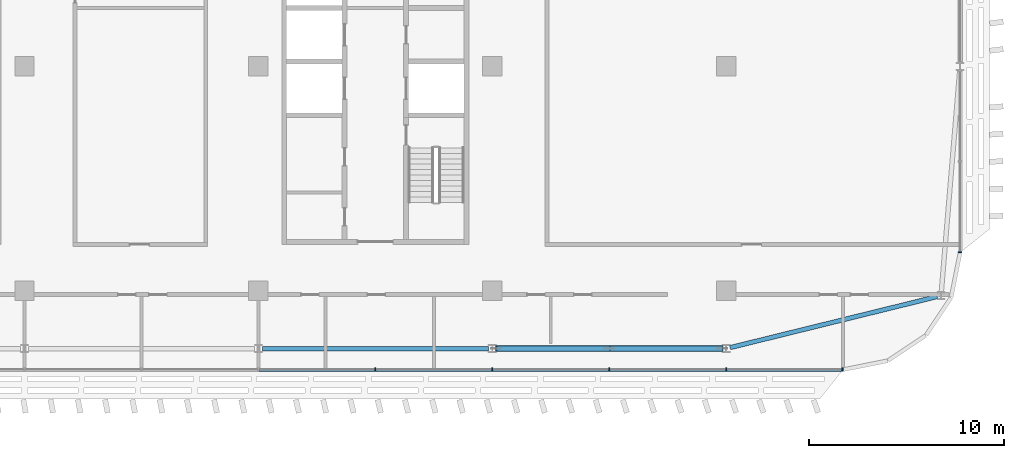
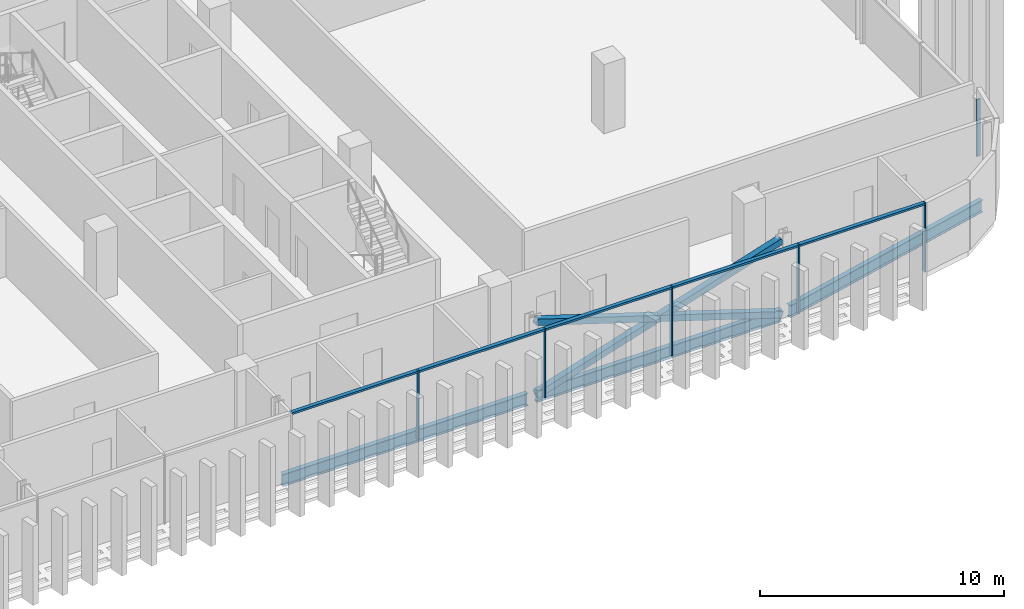
# One storey, part 11 of 32: 14 members, 3 beams, 2 elements without a shape of their own.
"""IFC4 building model written with IfcOpenShell, lengths in metres."""

from ifc_helpers import new_model, si_unit, direction, frame, origin, origin_2d, place, context, subcontext, project, spatial, rectangle, hollow_rectangle, i_section, extrude, material, material_profile, profile_set, type_object, element, aggregate, save


model = new_model("IFC4")

# Units and contexts
model_context = context("Model", 3, precision=1e-05, world=origin(), true_north=direction((0.0, 1.0)))
body_context = subcontext(model_context, "Body", "Model", "MODEL_VIEW")
ifc_project = project(units=[si_unit("LENGTHUNIT", "METRE"), si_unit("AREAUNIT", "SQUARE_METRE"), si_unit("VOLUMEUNIT", "CUBIC_METRE"), si_unit("PLANEANGLEUNIT", "RADIAN"), si_unit("MASSUNIT", "GRAM", prefix="KILO")], contexts=[model_context])

# Site, building, storey
site_placement = place(None, origin())
site = spatial("IfcSite", under=ifc_project, at=site_placement, CompositionType="ELEMENT")
building_placement = place(site_placement, origin())
building = spatial("IfcBuilding", under=site, at=building_placement, Name="Mahtab Terrace Research Tower", CompositionType="ELEMENT")
storey_placement = place(building_placement, frame((0.0, 0.0, 243.800048828125)))
storey = spatial("IfcBuildingStorey", under=building, at=storey_placement, Name="L59", CompositionType="ELEMENT", Elevation=243.800048828125)

# Members
ifc_material_1 = material(Name="Steel ASTM A500 Gr C", Category="steel")
ifc_material_profile_1 = material_profile(ifc_material_1, hollow_rectangle(XDim=0.3046875, YDim=0.3046875, WallThickness=0.015869140625, at=origin_2d()), Name="HSS12X12X5/8")
ifc_profile_set_1 = profile_set([ifc_material_profile_1], Name="Steel ASTM A500 Gr C")
member_type_1 = type_object("IfcMemberType", Name="HSS 12x12x5/8 brace XB121258", PredefinedType="BRACE", material=ifc_profile_set_1)
member_1_placement = place(storey_placement, frame((30.199462890625, -14.472900390625, -0.58056640625), z_axis=(0.953338568311, 0.0, 0.301903252998), x_axis=(0.0, 1.0, 0.0)))
element("IfcMember", 1, at=member_1_placement, inside=storey, type_object=member_type_1, Name="Exoskeleton brace L59 18 a", PredefinedType="BRACE", context=body_context, shape_type="SweptSolid", body=[
    extrude(hollow_rectangle(XDim=0.3046875, YDim=0.3046875, WallThickness=0.015869140625, at=origin_2d()), origin(), (0.0, 0.0, 1.0), 12.1689453125),
])
for number, where, z_axis, x_axis, name in (
    (2, (41.800537109375, -14.472900390625, -0.58056640625), (-0.953338568311, 0.0, 0.301903252998), (0.0, -1.0, 0.0), "Exoskeleton brace L59 18 b1"),
    (3, (36.0, -14.472900390625, 1.25634765625), (-0.953338568311, 0.0, 0.301903252998), (0.0, -1.0, 0.0), "Exoskeleton brace L59 18 b2"),
):
    element("IfcMember", number, at=place(storey_placement, frame(where, z_axis=z_axis, x_axis=x_axis)), inside=storey, type_object=member_type_1, Name=name, PredefinedType="BRACE", context=body_context, shape_type="SweptSolid", body=[
        extrude(hollow_rectangle(XDim=0.3046875, YDim=0.3046875, WallThickness=0.015869140625, at=origin_2d()), origin(), (0.0, 0.0, 1.0), 6.08447265625),
    ])

# Curtain wall, members
ifc_material_2 = material(Name="Office ribbon curtain wall")
curtain_wall_type = type_object("IfcCurtainWallType", Name="Office ribbon curtain wall", PredefinedType="NOTDEFINED", material=ifc_material_2)
curtain_wall_1_placement = place(storey_placement, origin())
curtain_wall_1 = element("IfcCurtainWall", 4, at=curtain_wall_1_placement, inside=storey, type_object=curtain_wall_type, Name="EN.L59.13.15", PredefinedType="NOTDEFINED")
ifc_material_3 = material(Name="Natural anodised aluminium", Category="aluminium")
ifc_material_profile_2 = material_profile(ifc_material_3, rectangle(XDim=0.179931640625, YDim=0.06005859375, at=origin_2d()), Name="MULLION 60x180")
ifc_profile_set_2 = profile_set([ifc_material_profile_2], Name="Natural anodised aluminium")
member_type_2 = type_object("IfcMemberType", Name="Office ribbon curtain wall mullion", PredefinedType="MULLION", material=ifc_profile_set_2)
member_2_placement = place(storey_placement, frame((24.0, -15.555908203125, 0.0), z_axis=(0.0, 0.0, 1.0), x_axis=(0.0, 1.0, 0.0)))
member_2 = element("IfcMember", 5, at=member_2_placement, type_object=member_type_2, Name="CWO-7 mullion 11", PredefinedType="MULLION", context=body_context, shape_type="SweptSolid", body=[
    extrude(rectangle(XDim=0.179931640625, YDim=0.06005859375, at=origin_2d()), origin(), (0.0, 0.0, 1.0), 3.4599609375),
])
member_3_placement = place(storey_placement, frame((30.0, -15.555908203125, 0.0), z_axis=(0.0, 0.0, 1.0), x_axis=(0.0, 1.0, 0.0)))
member_3 = element("IfcMember", 6, at=member_3_placement, type_object=member_type_2, Name="CWO-7 mullion 12", PredefinedType="MULLION", context=body_context, shape_type="SweptSolid", body=[
    extrude(rectangle(XDim=0.179931640625, YDim=0.06005859375, at=origin_2d()), origin(), (0.0, 0.0, 1.0), 3.4599609375),
])
member_4_placement = place(storey_placement, frame((36.0, -15.555908203125, 0.0), z_axis=(0.0, 0.0, 1.0), x_axis=(0.0, 1.0, 0.0)))
member_4 = element("IfcMember", 7, at=member_4_placement, type_object=member_type_2, Name="CWO-7 mullion 13", PredefinedType="MULLION", context=body_context, shape_type="SweptSolid", body=[
    extrude(rectangle(XDim=0.179931640625, YDim=0.06005859375, at=origin_2d()), origin(), (0.0, 0.0, 1.0), 3.4599609375),
])
member_5_placement = place(storey_placement, frame((42.0, -15.555908203125, 0.0), z_axis=(0.0, 0.0, 1.0), x_axis=(0.0, 1.0, 0.0)))
member_5 = element("IfcMember", 8, at=member_5_placement, type_object=member_type_2, Name="CWO-7 mullion 14", PredefinedType="MULLION", context=body_context, shape_type="SweptSolid", body=[
    extrude(rectangle(XDim=0.179931640625, YDim=0.06005859375, at=origin_2d()), origin(), (0.0, 0.0, 1.0), 3.4599609375),
])
member_6_placement = place(storey_placement, frame((47.969970703125, -15.555908203125, 0.0), z_axis=(0.0, 0.0, 1.0), x_axis=(0.0, 1.0, 0.0)))
member_6 = element("IfcMember", 9, at=member_6_placement, type_object=member_type_2, Name="CWO-7 mullion 15", PredefinedType="MULLION", context=body_context, shape_type="SweptSolid", body=[
    extrude(rectangle(XDim=0.179931640625, YDim=0.06005859375, at=origin_2d()), origin(), (0.0, 0.0, 1.0), 3.4599609375),
])

# Curtain wall, member
curtain_wall_2_placement = place(storey_placement, origin())
curtain_wall_2 = element("IfcCurtainWall", 10, at=curtain_wall_2_placement, inside=storey, type_object=curtain_wall_type, Name="EN.L59.18.20", PredefinedType="NOTDEFINED")
member_7_placement = place(storey_placement, frame((54.0, -9.52587890625, 0.0), z_axis=(0.0, 0.0, 1.0), x_axis=(-1.0, 0.0, 0.0)))
member_7 = element("IfcMember", 11, at=member_7_placement, type_object=member_type_2, Name="CWO-7 mullion 1", PredefinedType="MULLION", context=body_context, shape_type="SweptSolid", body=[
    extrude(rectangle(XDim=0.179931640625, YDim=0.06005859375, at=origin_2d()), origin(), (0.0, 0.0, 1.0), 2.852783203125),
])
aggregate(curtain_wall_2, [member_7])

# Member
ifc_material_profile_3 = material_profile(ifc_material_3, rectangle(XDim=0.179931640625, YDim=0.10009765625, at=origin_2d()), Name="TRANSOM 100x180")
ifc_profile_set_3 = profile_set([ifc_material_profile_3], Name="Natural anodised aluminium")
member_type_3 = type_object("IfcMemberType", Name="Office ribbon curtain wall transom", PredefinedType="USERDEFINED", material=ifc_profile_set_3)
member_8_placement = place(storey_placement, frame((18.030029296875, -15.555908203125, 3.409912109375), z_axis=(1.0, 0.0, 0.0), x_axis=(0.0, 1.0, 0.0)))
member_8 = element("IfcMember", 12, at=member_8_placement, type_object=member_type_3, Name="CWO-7 transom 10", ObjectType="TRANSOM", PredefinedType="USERDEFINED", context=body_context, shape_type="SweptSolid", body=[
    extrude(rectangle(XDim=0.179931640625, YDim=0.10009765625, at=origin_2d()), origin(), (0.0, 0.0, 1.0), 5.93994140625),
])

member_9_placement = place(storey_placement, frame((24.030029296875, -15.555908203125, 3.409912109375), z_axis=(1.0, 0.0, 0.0), x_axis=(0.0, 1.0, 0.0)))
member_9 = element("IfcMember", 13, at=member_9_placement, type_object=member_type_3, Name="CWO-7 transom 11", ObjectType="TRANSOM", PredefinedType="USERDEFINED", context=body_context, shape_type="SweptSolid", body=[
    extrude(rectangle(XDim=0.179931640625, YDim=0.10009765625, at=origin_2d()), origin(), (0.0, 0.0, 1.0), 5.93994140625),
])

member_10_placement = place(storey_placement, frame((30.030029296875, -15.555908203125, 3.409912109375), z_axis=(1.0, 0.0, 0.0), x_axis=(0.0, 1.0, 0.0)))
member_10 = element("IfcMember", 14, at=member_10_placement, type_object=member_type_3, Name="CWO-7 transom 12", ObjectType="TRANSOM", PredefinedType="USERDEFINED", context=body_context, shape_type="SweptSolid", body=[
    extrude(rectangle(XDim=0.179931640625, YDim=0.10009765625, at=origin_2d()), origin(), (0.0, 0.0, 1.0), 5.93994140625),
])

member_11_placement = place(storey_placement, frame((36.030029296875, -15.555908203125, 3.409912109375), z_axis=(1.0, 0.0, 0.0), x_axis=(0.0, 1.0, 0.0)))
member_11 = element("IfcMember", 15, at=member_11_placement, type_object=member_type_3, Name="CWO-7 transom 13", ObjectType="TRANSOM", PredefinedType="USERDEFINED", context=body_context, shape_type="SweptSolid", body=[
    extrude(rectangle(XDim=0.179931640625, YDim=0.10009765625, at=origin_2d()), origin(), (0.0, 0.0, 1.0), 5.93994140625),
])

member_12_placement = place(storey_placement, frame((42.030029296875, -15.555908203125, 3.409912109375), z_axis=(1.0, 0.0, 0.0), x_axis=(0.0, 1.0, 0.0)))
member_12 = element("IfcMember", 16, at=member_12_placement, type_object=member_type_3, Name="CWO-7 transom 14", ObjectType="TRANSOM", PredefinedType="USERDEFINED", context=body_context, shape_type="SweptSolid", body=[
    extrude(rectangle(XDim=0.179931640625, YDim=0.10009765625, at=origin_2d()), origin(), (0.0, 0.0, 1.0), 5.909912109375),
])

aggregate(curtain_wall_1, [member_2, member_3, member_4, member_5, member_6, member_8, member_9, member_10, member_11, member_12])

# Beams
ifc_material_4 = material(Name="Steel ASTM A992 Gr 50", Category="steel")
ifc_material_profile_4 = material_profile(ifc_material_4, i_section(OverallWidth=0.228271484375, OverallDepth=0.607177734375, WebThickness=0.01123046875, FlangeThickness=0.017333984375, at=origin_2d()), Name="W24X76")
ifc_profile_set_4 = profile_set([ifc_material_profile_4], Name="Steel ASTM A992 Gr 50")
beam_type = type_object("IfcBeamType", Name="W24x76 beam BS2476", PredefinedType="BEAM", material=ifc_profile_set_4)
for number, where, z_axis, x_axis, name in (
    (17, (18.199462890625, -14.472900390625, -0.6435546875), (1.0, 0.0, 0.0), (0.0, 1.0, 0.0), "Spandrel beam L59 17"),
    (18, (30.199462890625, -14.472900390625, -0.6435546875), (1.0, 0.0, 0.0), (0.0, 1.0, 0.0), "Spandrel beam L59 18"),
):
    element("IfcBeam", number, at=place(storey_placement, frame(where, z_axis=z_axis, x_axis=x_axis)), inside=storey, type_object=beam_type, Name=name, PredefinedType="BEAM", context=body_context, shape_type="SweptSolid", body=[
        extrude(i_section(OverallWidth=0.228271484375, OverallDepth=0.607177734375, WebThickness=0.01123046875, FlangeThickness=0.017333984375, at=origin_2d()), origin(), (0.0, 0.0, 1.0), 11.60107421875),
    ])
beam_placement = place(storey_placement, frame((42.199462890625, -14.423828125, -0.6435546875), z_axis=(0.970971673225, 0.239194502014, 0.0), x_axis=(-0.239194502014, 0.970971673225, 0.0)))
element("IfcBeam", 19, at=beam_placement, inside=storey, type_object=beam_type, Name="Spandrel beam L59 19", PredefinedType="BEAM", context=body_context, shape_type="SweptSolid", body=[
    extrude(i_section(OverallWidth=0.228271484375, OverallDepth=0.607177734375, WebThickness=0.01123046875, FlangeThickness=0.017333984375, at=origin_2d()), origin(), (0.0, 0.0, 1.0), 10.939697265625),
])

save(model, "model.ifc")
